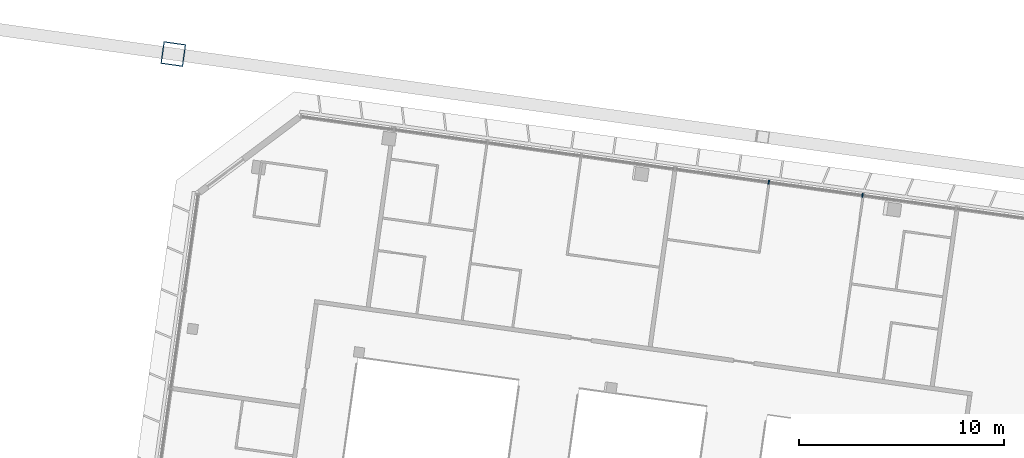
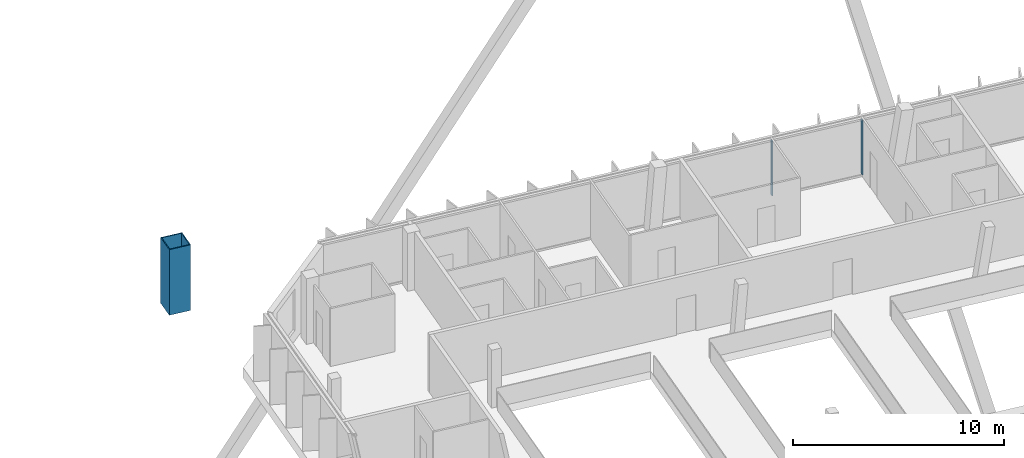
# One storey, part 8 of 28: 3 members, 1 element without a shape of its own.
"""IFC4 building model written with IfcOpenShell, lengths in metres."""

from ifc_helpers import new_model, si_unit, direction, frame, origin, origin_2d, place, context, subcontext, project, spatial, rectangle, hollow_rectangle, extrude, material, material_profile, profile_set, type_object, element, aggregate, save


model = new_model("IFC4")

# Units and contexts
model_context = context("Model", 3, precision=1e-05, world=origin(), true_north=direction((0.0, 1.0)))
body_context = subcontext(model_context, "Body", "Model", "MODEL_VIEW")
ifc_project = project(units=[si_unit("LENGTHUNIT", "METRE"), si_unit("AREAUNIT", "SQUARE_METRE"), si_unit("VOLUMEUNIT", "CUBIC_METRE"), si_unit("PLANEANGLEUNIT", "RADIAN"), si_unit("MASSUNIT", "GRAM", prefix="KILO")], contexts=[model_context])

# Site, building, storey
site_placement = place(None, origin())
site = spatial("IfcSite", under=ifc_project, at=site_placement, CompositionType="ELEMENT")
building_placement = place(site_placement, origin())
building = spatial("IfcBuilding", under=site, at=building_placement, Name="Mirante Cascada Hotel Towers", CompositionType="ELEMENT")
storey_placement = place(building_placement, frame((0.0, 0.0, 243.2)))
storey = spatial("IfcBuildingStorey", under=building, at=storey_placement, Name="L58", CompositionType="ELEMENT", Elevation=243.2)

# Member
ifc_material_1 = material(Name="Steel ASTM A572 Gr 50", Category="steel")
ifc_material_profile_1 = material_profile(ifc_material_1, hollow_rectangle(XDim=1.1, YDim=1.1, WallThickness=0.05, at=origin_2d()), Name="Box post 1100x1100x50 ASTM A572 Gr 50")
ifc_profile_set_1 = profile_set([ifc_material_profile_1], Name="Steel ASTM A572 Gr 50")
member_type_1 = type_object("IfcMemberType", Name="Box post 1100x1100x50 ASTM A572 Gr 50", PredefinedType="POST", material=ifc_profile_set_1)
member_1_placement = place(storey_placement, frame((-64.7076, 24.0842, 0.0), z_axis=(0.0, 0.0, 1.0), x_axis=(-0.9902681, 0.1391731, 0.0)))
element("IfcMember", 1, at=member_1_placement, inside=storey, type_object=member_type_1, Name="Mega column MP3 T1 L58", PredefinedType="POST", context=body_context, shape_type="SweptSolid", body=[
    extrude(hollow_rectangle(XDim=1.1, YDim=1.1, WallThickness=0.05, at=origin_2d()), origin(), (0.0, 0.0, 1.0), 3.8),
])

# Curtain wall, members
ifc_material_2 = material(Name="Aluminium mullion and transom frame with clear laminated glass", Category="aluminium")
curtain_wall_type = type_object("IfcCurtainWallType", Name="Ribbon curtain wall ECW1", PredefinedType="NOTDEFINED", material=ifc_material_2)
curtain_wall_placement = place(storey_placement, origin())
curtain_wall = element("IfcCurtainWall", 2, at=curtain_wall_placement, inside=storey, type_object=curtain_wall_type, Name="Front ribbon wall T1 L58", PredefinedType="NOTDEFINED")
ifc_material_3 = material(Name="Anodised aluminium extrusion", Category="aluminium")
ifc_material_profile_2 = material_profile(ifc_material_3, rectangle(XDim=0.2, YDim=0.065, at=origin_2d()), Name="ECW1 MULLION 65x200")
ifc_profile_set_2 = profile_set([ifc_material_profile_2], Name="Anodised aluminium extrusion")
member_type_2 = type_object("IfcMemberType", Name="ECW1 mullion 65x200", PredefinedType="MULLION", material=ifc_profile_set_2)
member_2_placement = place(storey_placement, frame((-35.6545, 17.8299, 0.1), z_axis=(0.0, 0.0, 1.0), x_axis=(0.1391731, 0.9902681, 0.0)))
member_2 = element("IfcMember", 3, at=member_2_placement, type_object=member_type_2, Name="ECW1 mullion 6", PredefinedType="MULLION", context=body_context, shape_type="SweptSolid", body=[
    extrude(rectangle(XDim=0.2, YDim=0.065, at=origin_2d()), origin(), (0.0, 0.0, 1.0), 3.15),
])
member_3_placement = place(storey_placement, frame((-31.0837, 17.1876, 0.1), z_axis=(0.0, 0.0, 1.0), x_axis=(0.1391731, 0.9902681, 0.0)))
member_3 = element("IfcMember", 4, at=member_3_placement, type_object=member_type_2, Name="ECW1 mullion 7", PredefinedType="MULLION", context=body_context, shape_type="SweptSolid", body=[
    extrude(rectangle(XDim=0.2, YDim=0.065, at=origin_2d()), origin(), (0.0, 0.0, 1.0), 3.15),
])
aggregate(curtain_wall, [member_2, member_3])

save(model, "model.ifc")
